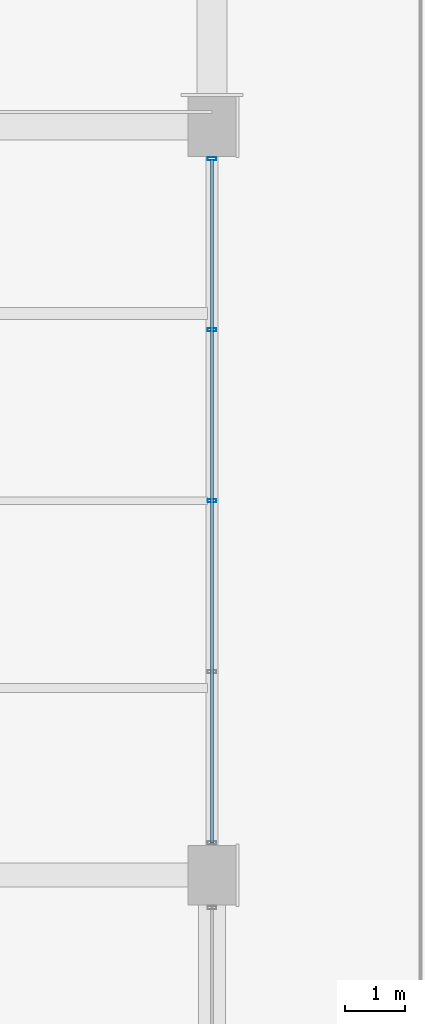
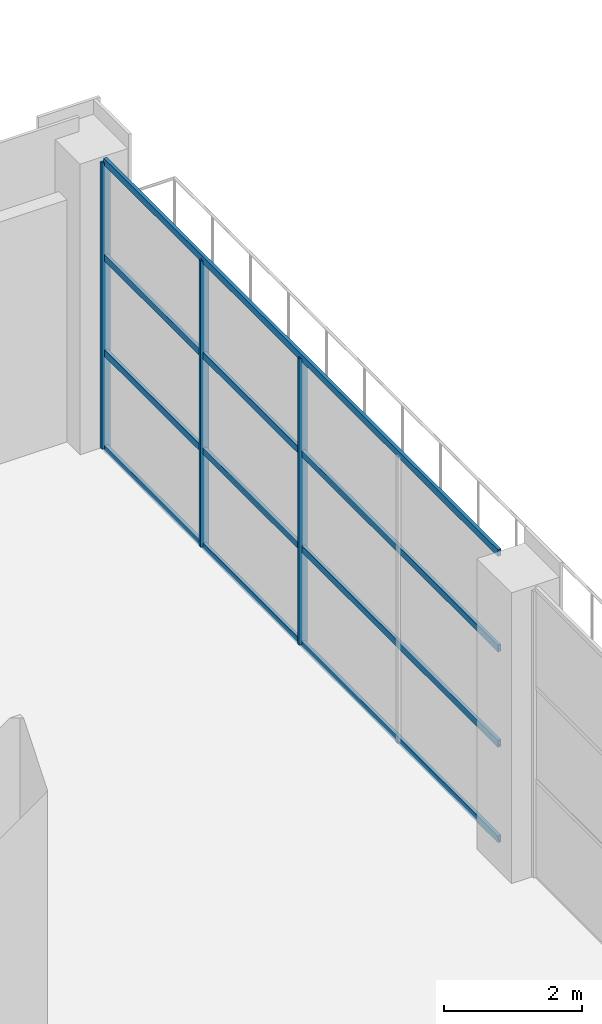
# One storey, part 31 of 90: 7 members, 1 element without a shape of its own.
"""IFC4 building model written with IfcOpenShell, lengths in metres."""

from ifc_helpers import new_model, si_unit, direction, frame, origin, origin_2d, place, context, subcontext, project, spatial, hollow_rectangle, extrude, material, material_profile, profile_set, type_object, element, aggregate, save


model = new_model("IFC4")

# Units and contexts
model_context = context("Model", 3, precision=1e-05, world=origin(), true_north=direction((0.0, 1.0)))
body_context = subcontext(model_context, "Body", "Model", "MODEL_VIEW")
ifc_project = project(units=[si_unit("LENGTHUNIT", "METRE"), si_unit("AREAUNIT", "SQUARE_METRE"), si_unit("VOLUMEUNIT", "CUBIC_METRE"), si_unit("PLANEANGLEUNIT", "RADIAN"), si_unit("MASSUNIT", "GRAM", prefix="KILO")], contexts=[model_context])

# Site, building, storey
site_placement = place(None, origin())
site = spatial("IfcSite", under=ifc_project, at=site_placement, CompositionType="ELEMENT")
building_placement = place(site_placement, origin())
building = spatial("IfcBuilding", under=site, at=building_placement, Name="Solvikara Media Centre", CompositionType="ELEMENT")
storey_placement = place(building_placement, origin())
storey = spatial("IfcBuildingStorey", under=building, at=storey_placement, Name="L00", CompositionType="ELEMENT", Elevation=0.0)

# Curtain wall, members
ifc_material = material(Name="Anodised aluminium EN AW-6063", Category="aluminium")
curtain_wall_type = type_object("IfcCurtainWallType", Name="CW-08", PredefinedType="NOTDEFINED", material=ifc_material)
curtain_wall_placement = place(storey_placement, origin())
curtain_wall = element("IfcCurtainWall", 1, at=curtain_wall_placement, inside=storey, type_object=curtain_wall_type, Name="CW-L00-V3E-1-S2", PredefinedType="NOTDEFINED")
ifc_material_profile_1 = material_profile(ifc_material, hollow_rectangle(XDim=0.054931640625, YDim=0.139892578125, WallThickness=0.0029296875, at=origin_2d()), Name="ALU-M 55x140x3")
ifc_profile_set_1 = profile_set([ifc_material_profile_1], Name="Anodised aluminium EN AW-6063")
member_type_1 = type_object("IfcMemberType", Name="MF-05", PredefinedType="MULLION", material=ifc_profile_set_1)
member_1_placement = place(storey_placement, frame((34.0, 107.75, 0.02001953125), z_axis=(0.0, 0.0, 1.0), x_axis=(0.0, 1.0, 0.0)))
member_1 = element("IfcMember", 2, at=member_1_placement, type_object=member_type_1, Name="CW-L00-V3E-1-S2-M02", PredefinedType="MULLION", context=body_context, shape_type="SweptSolid", body=[
    extrude(hollow_rectangle(XDim=0.054931640625, YDim=0.139892578125, WallThickness=0.0029296875, at=origin_2d()), origin(), (0.0, 0.0, 1.0), 5.06005859375),
])
member_2_placement = place(storey_placement, frame((34.0, 110.60498046875, 0.02001953125), z_axis=(0.0, 0.0, 1.0), x_axis=(0.0, 1.0, 0.0)))
member_2 = element("IfcMember", 3, at=member_2_placement, type_object=member_type_1, Name="CW-L00-V3E-1-S2-M03", PredefinedType="MULLION", context=body_context, shape_type="SweptSolid", body=[
    extrude(hollow_rectangle(XDim=0.054931640625, YDim=0.139892578125, WallThickness=0.0029296875, at=origin_2d()), origin(), (0.0, 0.0, 1.0), 5.06005859375),
])
member_3_placement = place(storey_placement, frame((34.0, 113.4599609375, 0.02001953125), z_axis=(0.0, 0.0, 1.0), x_axis=(0.0, 1.0, 0.0)))
member_3 = element("IfcMember", 4, at=member_3_placement, type_object=member_type_1, Name="CW-L00-V3E-1-S2-M04", PredefinedType="MULLION", context=body_context, shape_type="SweptSolid", body=[
    extrude(hollow_rectangle(XDim=0.054931640625, YDim=0.139892578125, WallThickness=0.0029296875, at=origin_2d()), origin(), (0.0, 0.0, 1.0), 5.06005859375),
])
ifc_material_profile_2 = material_profile(ifc_material, hollow_rectangle(XDim=0.054931640625, YDim=0.1201171875, WallThickness=0.0029296875, at=origin_2d()), Name="ALU-T 55x120x3")
ifc_profile_set_2 = profile_set([ifc_material_profile_2], Name="Anodised aluminium EN AW-6063")
member_type_2 = type_object("IfcMemberType", Name="MF-11", PredefinedType="USERDEFINED", material=ifc_profile_set_2)
member_4_placement = place(storey_placement, frame((34.0, 102.0400390625, 0.02001953125), z_axis=(0.0, 1.0, 0.0), x_axis=(-1.0, 0.0, 0.0)))
member_4 = element("IfcMember", 5, at=member_4_placement, type_object=member_type_2, Name="CW-L00-V3E-1-S2-T00", ObjectType="TRANSOM", PredefinedType="USERDEFINED", context=body_context, shape_type="SweptSolid", body=[
    extrude(hollow_rectangle(XDim=0.054931640625, YDim=0.1201171875, WallThickness=0.0029296875, at=origin_2d()), origin(), (0.0, 0.0, 1.0), 11.419921875),
])
member_5_placement = place(storey_placement, frame((34.0, 102.0400390625, 1.70703125), z_axis=(0.0, 1.0, 0.0), x_axis=(-1.0, 0.0, 0.0)))
member_5 = element("IfcMember", 6, at=member_5_placement, type_object=member_type_2, Name="CW-L00-V3E-1-S2-T01", ObjectType="TRANSOM", PredefinedType="USERDEFINED", context=body_context, shape_type="SweptSolid", body=[
    extrude(hollow_rectangle(XDim=0.054931640625, YDim=0.1201171875, WallThickness=0.0029296875, at=origin_2d()), origin(), (0.0, 0.0, 1.0), 11.419921875),
])
member_6_placement = place(storey_placement, frame((34.0, 102.0400390625, 3.39306640625), z_axis=(0.0, 1.0, 0.0), x_axis=(-1.0, 0.0, 0.0)))
member_6 = element("IfcMember", 7, at=member_6_placement, type_object=member_type_2, Name="CW-L00-V3E-1-S2-T02", ObjectType="TRANSOM", PredefinedType="USERDEFINED", context=body_context, shape_type="SweptSolid", body=[
    extrude(hollow_rectangle(XDim=0.054931640625, YDim=0.1201171875, WallThickness=0.0029296875, at=origin_2d()), origin(), (0.0, 0.0, 1.0), 11.419921875),
])
member_7_placement = place(storey_placement, frame((34.0, 102.0400390625, 5.080078125), z_axis=(0.0, 1.0, 0.0), x_axis=(-1.0, 0.0, 0.0)))
member_7 = element("IfcMember", 8, at=member_7_placement, type_object=member_type_2, Name="CW-L00-V3E-1-S2-T03", ObjectType="TRANSOM", PredefinedType="USERDEFINED", context=body_context, shape_type="SweptSolid", body=[
    extrude(hollow_rectangle(XDim=0.054931640625, YDim=0.1201171875, WallThickness=0.0029296875, at=origin_2d()), origin(), (0.0, 0.0, 1.0), 11.419921875),
])
aggregate(curtain_wall, [member_1, member_2, member_3, member_4, member_5, member_6, member_7])

save(model, "model.ifc")
